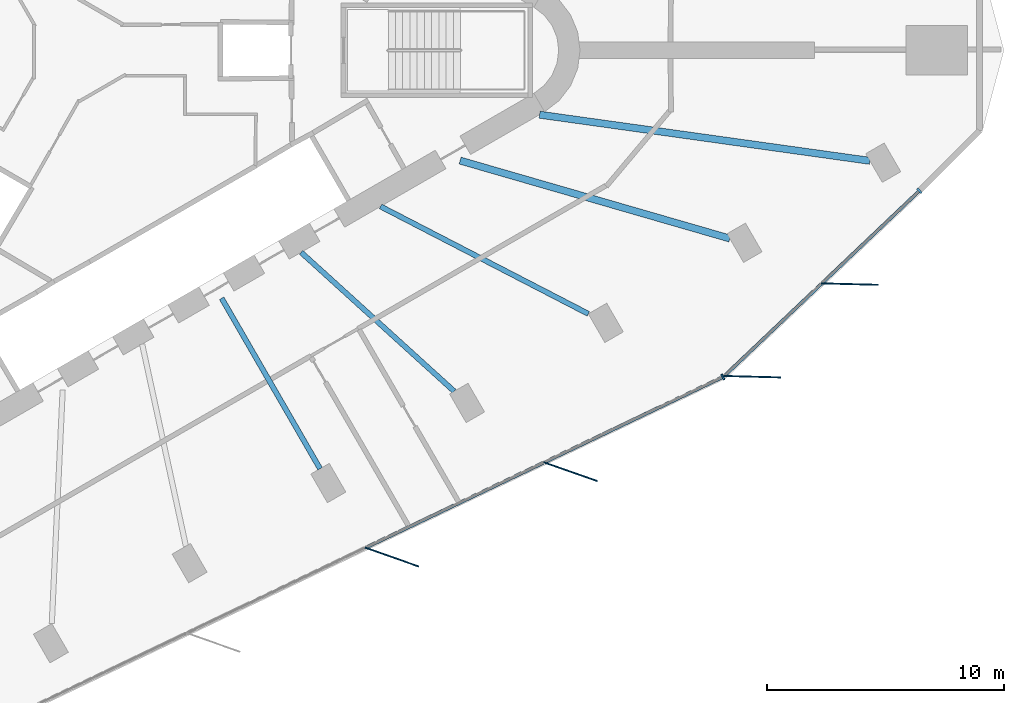
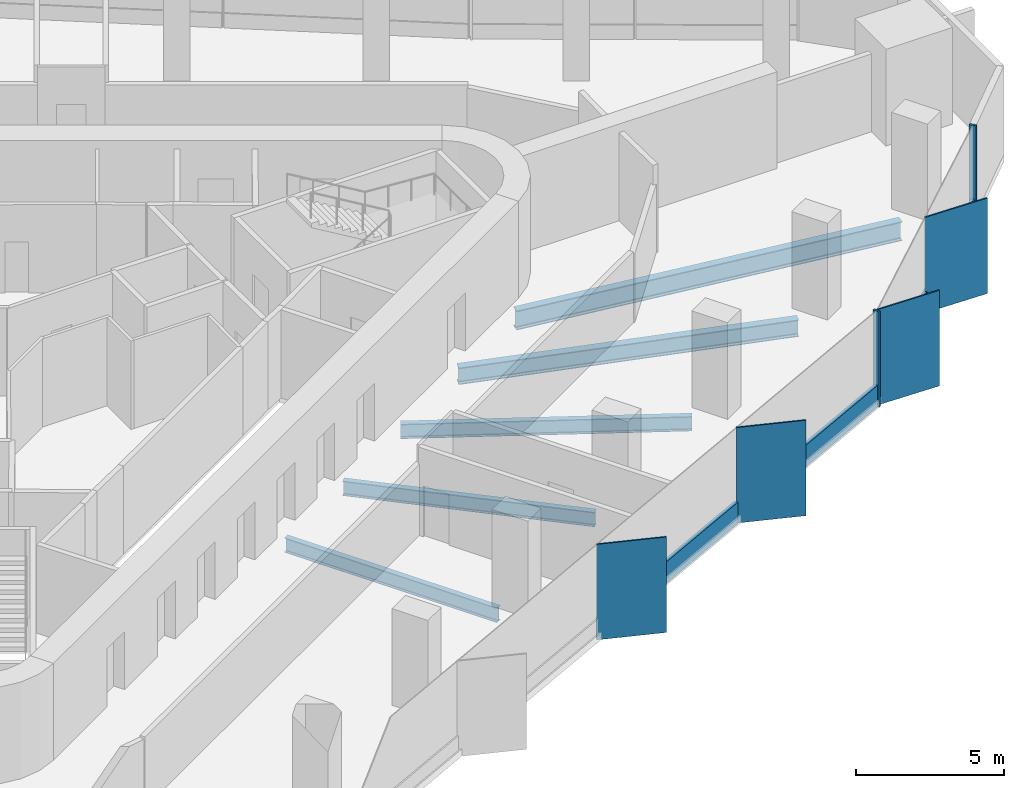
# One storey, part 3 of 13: 10 members, 5 beams, 2 elements without a shape of their own.
"""IFC4 building model written with IfcOpenShell, lengths in metres."""

from ifc_helpers import new_model, si_unit, direction, frame, origin, origin_2d, place, context, subcontext, project, spatial, rectangle, i_section, extrude, material, material_profile, profile_set, type_object, element, aggregate, save


model = new_model("IFC4")

# Units and contexts
model_context = context("Model", 3, precision=1e-05, world=origin(), true_north=direction((0.0, 1.0)))
body_context = subcontext(model_context, "Body", "Model", "MODEL_VIEW")
ifc_project = project(units=[si_unit("LENGTHUNIT", "METRE"), si_unit("AREAUNIT", "SQUARE_METRE"), si_unit("VOLUMEUNIT", "CUBIC_METRE"), si_unit("PLANEANGLEUNIT", "RADIAN"), si_unit("MASSUNIT", "GRAM", prefix="KILO")], contexts=[model_context])

# Site, building, storey
site_placement = place(None, origin())
site = spatial("IfcSite", under=ifc_project, at=site_placement, CompositionType="ELEMENT")
building_placement = place(site_placement, origin())
building = spatial("IfcBuilding", under=site, at=building_placement, Name="Tanit Gate Tower", CompositionType="ELEMENT")
storey_placement = place(building_placement, frame((0.0, 0.0, 273.199951171875)))
storey = spatial("IfcBuildingStorey", under=building, at=storey_placement, Name="L62", CompositionType="ELEMENT", Elevation=273.199951171875)

# Curtain wall, members
ifc_material_1 = material(Name="Aluminium bronze anodised and glass", Category="aluminium")
curtain_wall_type = type_object("IfcCurtainWallType", Name="Curtain wall typical mid", PredefinedType="NOTDEFINED", material=ifc_material_1)
curtain_wall_1_placement = place(storey_placement, origin())
curtain_wall_1 = element("IfcCurtainWall", 1, at=curtain_wall_1_placement, inside=storey, type_object=curtain_wall_type, Name="Curtain wall L62 SE2", PredefinedType="NOTDEFINED")
ifc_material_2 = material(Name="Aluminium bronze anodised", Category="aluminium")
ifc_material_profile_1 = material_profile(ifc_material_2, rectangle(XDim=2.39990234375, YDim=0.055908203125, at=origin_2d()), Name="56x2400 bronze fin mullion")
ifc_profile_set_1 = profile_set([ifc_material_profile_1], Name="Aluminium bronze anodised")
member_type_1 = type_object("IfcMemberType", Name="FIN MULLION 56x2400 bronze", PredefinedType="MULLION", material=ifc_profile_set_1)
member_1_placement = place(storey_placement, frame((13.24755859375, -21.417236328125, -0.300048828125), z_axis=(0.0, 0.0, 1.0), x_axis=(-0.94289500242, 0.333090099539, 0.0)))
member_1 = element("IfcMember", 2, at=member_1_placement, type_object=member_type_1, Name="Fin mullion L62 SE2.3", PredefinedType="MULLION", context=body_context, shape_type="SweptSolid", body=[
    extrude(rectangle(XDim=2.39990234375, YDim=0.055908203125, at=origin_2d()), origin(), (0.0, 0.0, 1.0), 3.9501953125),
])
member_2_placement = place(storey_placement, frame((20.796630859375, -17.8095703125, -0.300048828125), z_axis=(0.0, 0.0, 1.0), x_axis=(-0.94289500242, 0.333090099539, 0.0)))
member_2 = element("IfcMember", 3, at=member_2_placement, type_object=member_type_1, Name="Fin mullion L62 SE2.4", PredefinedType="MULLION", context=body_context, shape_type="SweptSolid", body=[
    extrude(rectangle(XDim=2.39990234375, YDim=0.055908203125, at=origin_2d()), origin(), (0.0, 0.0, 1.0), 3.9501953125),
])

curtain_wall_2_placement = place(storey_placement, origin())
curtain_wall_2 = element("IfcCurtainWall", 4, at=curtain_wall_2_placement, inside=storey, type_object=curtain_wall_type, Name="Curtain wall L62 SE3", PredefinedType="NOTDEFINED")
member_3_placement = place(storey_placement, frame((28.4775390625, -13.795166015625, -0.300048828125), z_axis=(0.0, 0.0, 1.0), x_axis=(-0.999659926403, 0.026077414423, 0.0)))
member_3 = element("IfcMember", 5, at=member_3_placement, type_object=member_type_1, Name="Fin mullion L62 SE3.1", PredefinedType="MULLION", context=body_context, shape_type="SweptSolid", body=[
    extrude(rectangle(XDim=2.39990234375, YDim=0.055908203125, at=origin_2d()), origin(), (0.0, 0.0, 1.0), 3.9501953125),
])
member_4_placement = place(storey_placement, frame((32.60107421875, -9.88134765625, -0.300048828125), z_axis=(0.0, 0.0, 1.0), x_axis=(-0.999659926403, 0.026077414423, 0.0)))
member_4 = element("IfcMember", 6, at=member_4_placement, type_object=member_type_1, Name="Fin mullion L62 SE3.2", PredefinedType="MULLION", context=body_context, shape_type="SweptSolid", body=[
    extrude(rectangle(XDim=2.39990234375, YDim=0.055908203125, at=origin_2d()), origin(), (0.0, 0.0, 1.0), 3.9501953125),
])

# Member
ifc_material_3 = material(Name="Aluminium bronze anodised", Category="aluminium")
ifc_material_profile_2 = material_profile(ifc_material_3, rectangle(XDim=0.260009765625, YDim=0.080078125, at=origin_2d()), Name="80x260 bronze mullion")
ifc_profile_set_2 = profile_set([ifc_material_profile_2], Name="Aluminium bronze anodised")
member_type_2 = type_object("IfcMemberType", Name="Mullion 80x260 typical mid", PredefinedType="MULLION", material=ifc_profile_set_2)
member_5_placement = place(storey_placement, frame((27.234130859375, -13.80908203125, -0.300048828125), z_axis=(0.0, 0.0, 1.0), x_axis=(-0.431197182029, 0.902257718288, 0.0)))
member_5 = element("IfcMember", 7, at=member_5_placement, type_object=member_type_2, Name="Mullion L62 SE2.5", PredefinedType="MULLION", context=body_context, shape_type="SweptSolid", body=[
    extrude(rectangle(XDim=0.260009765625, YDim=0.080078125, at=origin_2d()), origin(), (0.0, 0.0, 1.0), 3.9501953125),
])

member_6_placement = place(storey_placement, frame((35.546142578125, -5.936767578125, -0.300048828125), z_axis=(0.0, 0.0, 1.0), x_axis=(-0.688426796266, 0.725305829415, 0.0)))
member_6 = element("IfcMember", 8, at=member_6_placement, type_object=member_type_2, Name="Mullion L62 SE3.3", PredefinedType="MULLION", context=body_context, shape_type="SweptSolid", body=[
    extrude(rectangle(XDim=0.260009765625, YDim=0.080078125, at=origin_2d()), origin(), (0.0, 0.0, 1.0), 3.9501953125),
])

# Beams
ifc_material_4 = material(Name="Steel S355", Category="steel")
ifc_material_profile_3 = material_profile(ifc_material_4, i_section(OverallWidth=0.300048828125, OverallDepth=0.68994140625, WebThickness=0.014404296875, FlangeThickness=0.027099609375, FilletRadius=0.027099609375, at=origin_2d()), Name="HEA 700")
ifc_profile_set_3 = profile_set([ifc_material_profile_3], Name="Steel S355")
beam_type_1 = type_object("IfcBeamType", Name="RADIAL GIRDER HEA 700 S355", PredefinedType="BEAM", material=ifc_profile_set_3)
beam_1_placement = place(storey_placement, frame((27.528564453125, -7.955078125, -0.64501953125), z_axis=(-0.960692598628, 0.277614356511, 0.0), x_axis=(-0.277614356511, -0.960692598628, 0.0)))
element("IfcBeam", 9, at=beam_1_placement, inside=storey, type_object=beam_type_1, Name="RADIAL GIRDER", PredefinedType="BEAM", context=body_context, shape_type="SweptSolid", body=[
    extrude(i_section(OverallWidth=0.300048828125, OverallDepth=0.68994140625, WebThickness=0.014404296875, FlangeThickness=0.027099609375, FilletRadius=0.027099609375, at=origin_2d()), origin(), (0.0, 0.0, 1.0), 11.8642578125),
])
ifc_material_5 = material(Name="Steel S355", Category="steel")
ifc_material_profile_4 = material_profile(ifc_material_5, i_section(OverallWidth=0.300048828125, OverallDepth=0.7900390625, WebThickness=0.014892578125, FlangeThickness=0.028076171875, FilletRadius=0.030029296875, at=origin_2d()), Name="HEA 800")
ifc_profile_set_4 = profile_set([ifc_material_profile_4], Name="Steel S355")
beam_type_2 = type_object("IfcBeamType", Name="RADIAL GIRDER HEA 800 S355", PredefinedType="BEAM", material=ifc_profile_set_4)
beam_2_placement = place(storey_placement, frame((33.450927734375, -4.6708984375, -0.695068359375), z_axis=(-0.990390390759, 0.138299941769, 0.0), x_axis=(-0.138299941769, -0.990390390759, 0.0)))
element("IfcBeam", 10, at=beam_2_placement, inside=storey, type_object=beam_type_2, Name="RADIAL GIRDER", PredefinedType="BEAM", context=body_context, shape_type="SweptSolid", body=[
    extrude(i_section(OverallWidth=0.300048828125, OverallDepth=0.7900390625, WebThickness=0.014892578125, FlangeThickness=0.028076171875, FilletRadius=0.030029296875, at=origin_2d()), origin(), (0.0, 0.0, 1.0), 14.095947265625),
])
ifc_material_6 = material(Name="Steel S355", Category="steel")
ifc_material_profile_5 = material_profile(ifc_material_6, i_section(OverallWidth=0.219970703125, OverallDepth=0.60009765625, WebThickness=0.011962890625, FlangeThickness=0.01904296875, FilletRadius=0.02392578125, at=origin_2d()), Name="IPE 600")
ifc_profile_set_5 = profile_set([ifc_material_profile_5], Name="Steel S355")
beam_type_3 = type_object("IfcBeamType", Name="RADIAL GIRDER IPE 600 S355", PredefinedType="BEAM", material=ifc_profile_set_5)
beam_3_placement = place(storey_placement, frame((10.210693359375, -17.685546875, -0.599853515625), z_axis=(-0.499995954789, 0.866027739276, 0.0), x_axis=(-0.866027739276, -0.499995954789, 0.0)))
element("IfcBeam", 11, at=beam_3_placement, inside=storey, type_object=beam_type_3, Name="RADIAL GIRDER", PredefinedType="BEAM", context=body_context, shape_type="SweptSolid", body=[
    extrude(i_section(OverallWidth=0.219970703125, OverallDepth=0.60009765625, WebThickness=0.011962890625, FlangeThickness=0.01904296875, FilletRadius=0.02392578125, at=origin_2d()), origin(), (0.0, 0.0, 1.0), 8.3193359375),
])
beam_4_placement = place(storey_placement, frame((15.88037109375, -14.412109375, -0.599853515625), z_axis=(-0.740510084362, 0.672045247701, 0.0), x_axis=(-0.672045247701, -0.740510084362, 0.0)))
element("IfcBeam", 12, at=beam_4_placement, inside=storey, type_object=beam_type_3, Name="RADIAL GIRDER", PredefinedType="BEAM", context=body_context, shape_type="SweptSolid", body=[
    extrude(i_section(OverallWidth=0.219970703125, OverallDepth=0.60009765625, WebThickness=0.011962890625, FlangeThickness=0.01904296875, FilletRadius=0.02392578125, at=origin_2d()), origin(), (0.0, 0.0, 1.0), 8.736572265625),
])
beam_5_placement = place(storey_placement, frame((21.5498046875, -11.138916015625, -0.599853515625), z_axis=(-0.888343449029, 0.459179612534, 0.0), x_axis=(-0.459179612534, -0.888343449029, 0.0)))
element("IfcBeam", 13, at=beam_5_placement, inside=storey, type_object=beam_type_3, Name="RADIAL GIRDER", PredefinedType="BEAM", context=body_context, shape_type="SweptSolid", body=[
    extrude(i_section(OverallWidth=0.219970703125, OverallDepth=0.60009765625, WebThickness=0.011962890625, FlangeThickness=0.01904296875, FilletRadius=0.02392578125, at=origin_2d()), origin(), (0.0, 0.0, 1.0), 9.882568359375),
])

# Member
ifc_material_7 = material(Name="Aluminium bronze anodised", Category="aluminium")
ifc_material_profile_6 = material_profile(ifc_material_7, rectangle(XDim=0.139892578125, YDim=0.89990234375, at=origin_2d()), Name="140x900 bronze transom")
ifc_profile_set_6 = profile_set([ifc_material_profile_6], Name="Aluminium bronze anodised")
member_type_3 = type_object("IfcMemberType", Name="Transom 140x900 typical mid", PredefinedType="USERDEFINED", material=ifc_profile_set_6)
member_7_placement = place(storey_placement, frame((12.172119140625, -21.00732421875, 0.150146484375), z_axis=(0.902257333807, 0.431197986534, 0.0), x_axis=(-0.431197986534, 0.902257333807, 0.0)))
member_7 = element("IfcMember", 14, at=member_7_placement, type_object=member_type_3, Name="Transom L62 SE2.3", ObjectType="TRANSOM", PredefinedType="USERDEFINED", context=body_context, shape_type="SweptSolid", body=[
    extrude(rectangle(XDim=0.139892578125, YDim=0.89990234375, at=origin_2d()), origin(), (0.0, 0.0, 1.0), 8.286865234375),
])

member_8_placement = place(storey_placement, frame((19.72119140625, -17.399658203125, 0.150146484375), z_axis=(0.902257333807, 0.431197986534, 0.0), x_axis=(-0.431197986534, 0.902257333807, 0.0)))
member_8 = element("IfcMember", 15, at=member_8_placement, type_object=member_type_3, Name="Transom L62 SE2.4", ObjectType="TRANSOM", PredefinedType="USERDEFINED", context=body_context, shape_type="SweptSolid", body=[
    extrude(rectangle(XDim=0.139892578125, YDim=0.89990234375, at=origin_2d()), origin(), (0.0, 0.0, 1.0), 8.286865234375),
])

aggregate(curtain_wall_1, [member_1, member_2, member_5, member_7, member_8])

member_9_placement = place(storey_placement, frame((27.328125, -13.73681640625, 0.150146484375), z_axis=(0.725312557534, 0.688419707652, 0.0), x_axis=(-0.688419707652, 0.725312557534, 0.0)))
member_9 = element("IfcMember", 16, at=member_9_placement, type_object=member_type_3, Name="Transom L62 SE3.1", ObjectType="TRANSOM", PredefinedType="USERDEFINED", context=body_context, shape_type="SweptSolid", body=[
    extrude(rectangle(XDim=0.139892578125, YDim=0.89990234375, at=origin_2d()), origin(), (0.0, 0.0, 1.0), 5.60498046875),
])

member_10_placement = place(storey_placement, frame((31.45166015625, -9.822998046875, 0.150146484375), z_axis=(0.725312557534, 0.688419707652, 0.0), x_axis=(-0.688419707652, 0.725312557534, 0.0)))
member_10 = element("IfcMember", 17, at=member_10_placement, type_object=member_type_3, Name="Transom L62 SE3.2", ObjectType="TRANSOM", PredefinedType="USERDEFINED", context=body_context, shape_type="SweptSolid", body=[
    extrude(rectangle(XDim=0.139892578125, YDim=0.89990234375, at=origin_2d()), origin(), (0.0, 0.0, 1.0), 5.60498046875),
])

aggregate(curtain_wall_2, [member_3, member_4, member_6, member_9, member_10])

save(model, "model.ifc")
